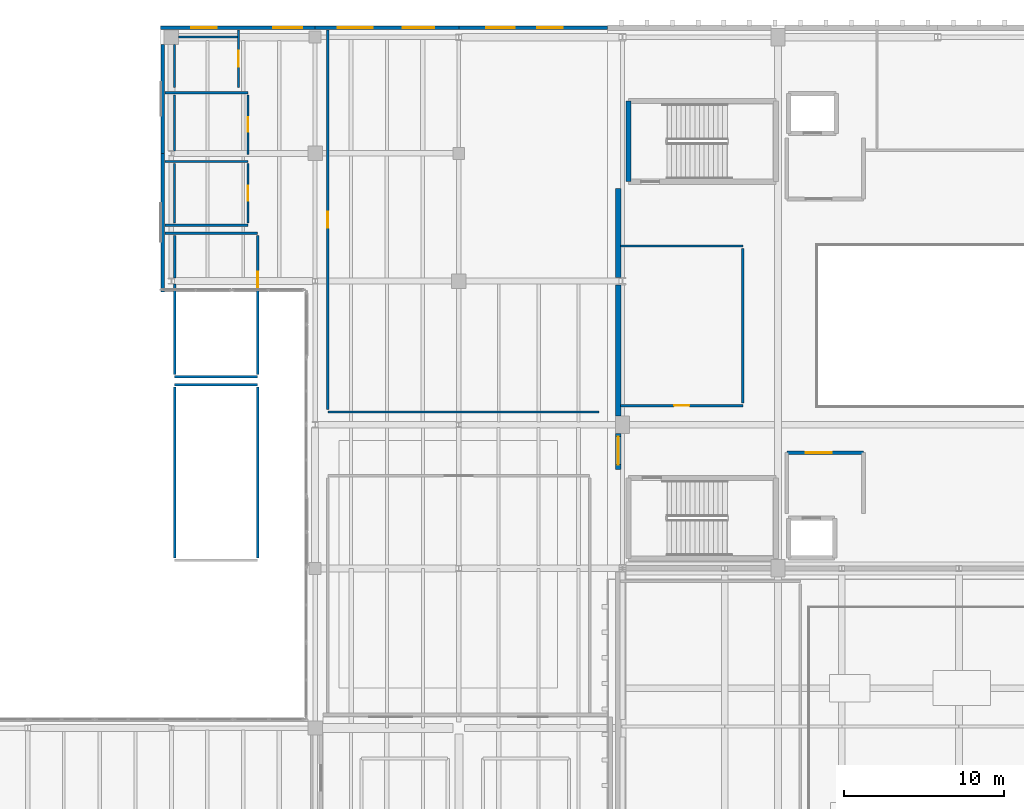
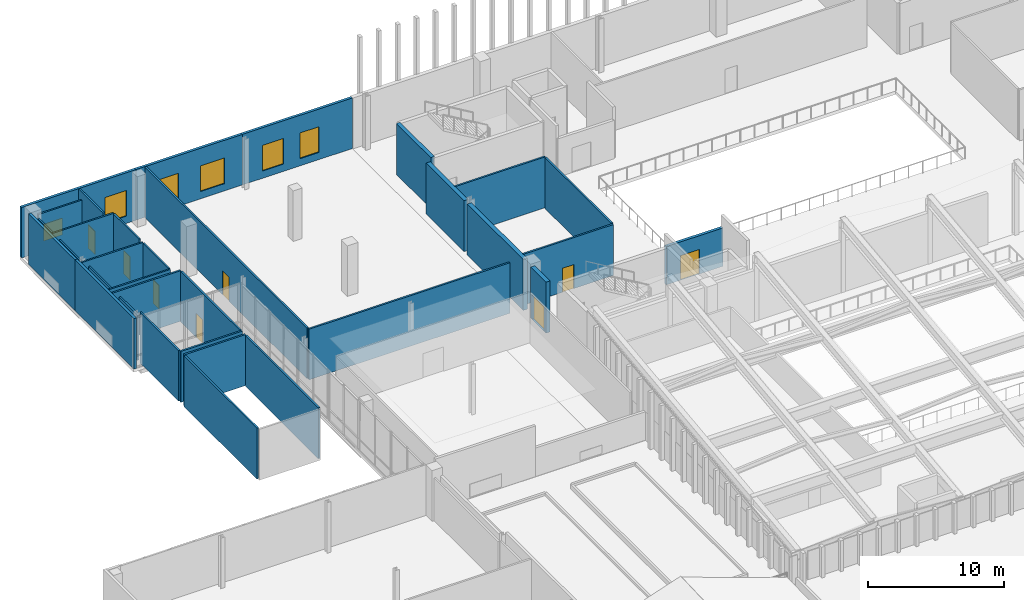
# One storey, part 21 of 30: 33 walls, 8 doors, 6 windows, 14 openings.
"""IFC4 building model written with IfcOpenShell, lengths in metres."""

import ifcopenshell
import ifcopenshell.guid

model = None  # the IFC model being written
_history = None  # IfcOwnerHistory: only IFC2X3 demands one
_inside = {}  # id of a spatial element -> (the spatial element, [elements in it])
_under = {}  # id of a project, library or spatial element -> (it, [spatial elements below it])
_declared = {}  # id of a project -> (the project, [libraries it declares])
_typed = {}  # id of a type object -> (the type object, [elements of that type])
_made_of = {}  # id of a material, layer set ... -> (it, [elements and type objects made of it])


def new_model(schema):
    """Start an empty IFC model of exactly this schema.

    Asked for "IFC4X3", IfcOpenShell would pick the latest addendum, in which some entities
    have other attributes; the version numbers below select the first issue.
    IFC2X3 requires an IfcOwnerHistory on every rooted entity: one is made here for all.
    """
    global model, _history
    if schema == "IFC4X3":
        model = ifcopenshell.file(schema_version=(4, 3, 0, 0))
    else:
        model = ifcopenshell.file(schema=schema)
    _inside.clear()
    _under.clear()
    _declared.clear()
    _typed.clear()
    _made_of.clear()
    _history = None
    if model.schema == "IFC2X3":
        org = make("IfcOrganization", Name="unknown")
        user = make(
            "IfcPersonAndOrganization",
            ThePerson=make("IfcPerson", FamilyName="unknown"),
            TheOrganization=org,
        )
        app = make(
            "IfcApplication",
            ApplicationDeveloper=org,
            Version="unknown",
            ApplicationFullName="unknown",
            ApplicationIdentifier="unknown",
        )
        _history = make(
            "IfcOwnerHistory",
            OwningUser=user,
            OwningApplication=app,
            ChangeAction="ADDED",
            CreationDate=0,
        )
    return model


def make(cls, **values):
    """One entity of the class cls with the attributes given. An attribute that is None is left unset."""
    return model.create_entity(
        cls, **{name: value for name, value in values.items() if value is not None}
    )


def rooted(cls, **values):
    """An entity with a GlobalId (a new one), such as an element, a storey or a relation."""
    return make(cls, GlobalId=ifcopenshell.guid.new(), OwnerHistory=_history, **values)


def si_unit(unit_type, name, prefix=None):
    """IfcSIUnit, for example si_unit("LENGTHUNIT", "METRE", prefix="MILLI")."""
    return make("IfcSIUnit", UnitType=unit_type, Prefix=prefix, Name=name)


def assignment(units):
    """IfcUnitAssignment: the units of a project."""
    return None if units is None else make("IfcUnitAssignment", Units=units)


def point(xyz):
    """IfcCartesianPoint."""
    return None if xyz is None else make("IfcCartesianPoint", Coordinates=xyz)


def direction(xyz):
    """IfcDirection."""
    return None if xyz is None else make("IfcDirection", DirectionRatios=xyz)


def frame(location, z_axis=None, x_axis=None):
    """IfcAxis2Placement3D, a coordinate frame: its origin and axes. An axis left out is left unset."""
    return make(
        "IfcAxis2Placement3D",
        Location=point(location),
        Axis=direction(z_axis),
        RefDirection=direction(x_axis),
    )


def frame_2d(location, x_axis=None):
    """IfcAxis2Placement2D, a coordinate frame in the plane: its origin and x axis."""
    return make(
        "IfcAxis2Placement2D", Location=point(location), RefDirection=direction(x_axis)
    )


def origin():
    """The frame at (0, 0, 0) with its axes left unset."""
    return frame((0.0, 0.0, 0.0))


def place(relative_to, where):
    """IfcLocalPlacement: puts the frame where relative to a parent placement (None: the world)."""
    return make(
        "IfcLocalPlacement", PlacementRelTo=relative_to, RelativePlacement=where
    )


def context(
    kind, dimensions, precision=None, world=None, true_north=None, identifier=None
):
    """IfcGeometricRepresentationContext, for example the 3D "Model" context."""
    return make(
        "IfcGeometricRepresentationContext",
        ContextIdentifier=identifier,
        ContextType=kind,
        CoordinateSpaceDimension=dimensions,
        Precision=precision,
        WorldCoordinateSystem=world,
        TrueNorth=true_north,
    )


def subcontext(parent, identifier, kind, view, scale=None):
    """IfcGeometricRepresentationSubContext, for example "Body" below "Model"."""
    return make(
        "IfcGeometricRepresentationSubContext",
        ContextIdentifier=identifier,
        ContextType=kind,
        ParentContext=parent,
        TargetScale=scale,
        TargetView=view,
    )


def project(units=None, contexts=None):
    """IfcProject with its units and contexts."""
    return rooted(
        "IfcProject",
        Name="project",
        RepresentationContexts=contexts,
        UnitsInContext=assignment(units),
    )


def spatial(cls, under=None, at=None, **own):
    """A site, building, storey or space (cls), placed at a placement, below another one or the project."""
    s = rooted(cls, ObjectPlacement=at, **own)
    if under is not None:
        _under.setdefault(under.id(), (under, []))[1].append(s)
    return s


def profile(cls, at=None, kind="AREA", **sizes):
    """A parametric profile (cls). Its sizes go by their IFC names, for example OverallWidth=200.0."""
    return make(cls, ProfileType=kind, Position=at, **sizes)


def rectangle(**sizes):
    """IfcRectangleProfileDef."""
    return profile("IfcRectangleProfileDef", **sizes)


def extrude(swept, where, along, depth):
    """IfcExtrudedAreaSolid: the profile swept, set in the frame where, extruded along a direction by depth."""
    return make(
        "IfcExtrudedAreaSolid",
        SweptArea=swept,
        Position=where,
        ExtrudedDirection=direction(along),
        Depth=depth,
    )


def shape(context_of_items, identifier, shape_type, items):
    """IfcShapeRepresentation: the items that make up one representation, for example the "Body"."""
    return make(
        "IfcShapeRepresentation",
        ContextOfItems=context_of_items,
        RepresentationIdentifier=identifier,
        RepresentationType=shape_type,
        Items=items,
    )


def material(Name=None, Category=None):
    """IfcMaterial."""
    return make("IfcMaterial", Name=Name, Category=Category)


def layer(
    of_material, thickness, ventilated=None, Name=None, Category=None, Priority=None
):
    """IfcMaterialLayer: one layer of a wall or slab, of a material (None: an air gap)."""
    return make(
        "IfcMaterialLayer",
        Material=of_material,
        LayerThickness=thickness,
        IsVentilated=ventilated,
        Name=Name,
        Category=Category,
        Priority=Priority,
    )


def layer_set(layers, Name=None):
    """IfcMaterialLayerSet."""
    return make("IfcMaterialLayerSet", MaterialLayers=layers, LayerSetName=Name)


def made_of(thing, what):
    """Note that an element or type object is made of a material, layer set ...; save() writes the relation."""
    if what is not None:
        _made_of.setdefault(what.id(), (what, []))[1].append(thing)
    return thing


def type_object(cls, material=None, **own):
    """A type object (cls), such as IfcWallType, which elements share."""
    return made_of(rooted(cls, **own), material)


def element(
    cls,
    number,
    at=None,
    inside=None,
    cuts=None,
    type_object=None,
    material=None,
    context=None,
    identifier="Body",
    shape_type=None,
    held_by="IfcProductDefinitionShape",
    body=None,
    shapes=None,
    **own,
):
    """One element of the class cls, such as IfcWall. Its Tag is "e" and its number.

    at: its placement. inside: the storey or other place that contains it. cuts: it is an
    opening in that element (IfcRelVoidsElement). A single representation is given by context,
    identifier, shape_type and body (its items); several are given by shapes. held_by: the class
    of the entity that holds the representations. save() writes the other relations.
    """
    e = rooted(cls, Tag="e%d" % number, ObjectPlacement=at, **own)
    if body is not None:
        shapes = [shape(context, identifier, shape_type, body)]
    if shapes is not None:
        e.Representation = make(held_by, Representations=shapes)
    if inside is not None:
        _inside.setdefault(inside.id(), (inside, []))[1].append(e)
    if cuts is not None:
        rooted(
            "IfcRelVoidsElement", RelatingBuildingElement=cuts, RelatedOpeningElement=e
        )
    if type_object is not None:
        _typed.setdefault(type_object.id(), (type_object, []))[1].append(e)
    return made_of(e, material)


def fill(opening, filler):
    """IfcRelFillsElement: the door or window that sits in an opening."""
    return rooted(
        "IfcRelFillsElement",
        RelatingOpeningElement=opening,
        RelatedBuildingElement=filler,
    )


def aggregate(whole, parts):
    """IfcRelAggregates: a whole, such as a stair, and the parts it consists of."""
    return rooted("IfcRelAggregates", RelatingObject=whole, RelatedObjects=parts)


def save(model, path):
    """Write the relations noted so far, then the file.

    IfcRelAggregates (storeys below a building ...), IfcRelContainedInSpatialStructure (elements
    in a storey), IfcRelDefinesByType, IfcRelAssociatesMaterial and IfcRelDeclares: one each for
    every whole, place, type object, material and project.
    """
    for whole, parts in _under.values():
        aggregate(whole, parts)
    for where, things in _inside.values():
        rooted(
            "IfcRelContainedInSpatialStructure",
            RelatedElements=things,
            RelatingStructure=where,
        )
    for kind, things in _typed.values():
        rooted("IfcRelDefinesByType", RelatedObjects=things, RelatingType=kind)
    for what, things in _made_of.values():
        rooted("IfcRelAssociatesMaterial", RelatedObjects=things, RelatingMaterial=what)
    for by, libraries in _declared.values():
        rooted("IfcRelDeclares", RelatingContext=by, RelatedDefinitions=libraries)
    model.write(path)


model = new_model("IFC4")

# Units and contexts
model_context = context("Model", 3, precision=1e-05, world=origin(), true_north=direction((0.0, 1.0)))
body_context = subcontext(model_context, "Body", "Model", "MODEL_VIEW")
ifc_project = project(units=[si_unit("LENGTHUNIT", "METRE"), si_unit("AREAUNIT", "SQUARE_METRE"), si_unit("VOLUMEUNIT", "CUBIC_METRE"), si_unit("PLANEANGLEUNIT", "RADIAN"), si_unit("MASSUNIT", "GRAM", prefix="KILO")], contexts=[model_context])

# Site, building, storey
site_placement = place(None, origin())
site = spatial("IfcSite", under=ifc_project, at=site_placement, CompositionType="ELEMENT")
building_placement = place(site_placement, origin())
building = spatial("IfcBuilding", under=site, at=building_placement, Name="Trimount Lyric Opera House", CompositionType="ELEMENT")
storey_placement = place(building_placement, frame((0.0, 0.0, 24.800048828125)))
storey = spatial("IfcBuildingStorey", under=building, at=storey_placement, Name="L05", CompositionType="ELEMENT", Elevation=24.800048828125)

# Walls
ifc_material_1 = material(Name="Moisture-Resistant Gypsum Board")
ifc_layer_1 = layer(ifc_material_1, 0.135009765625)
ifc_layer_set_1 = layer_set([ifc_layer_1], Name="WL-PT135")
wall_type_1 = type_object("IfcWallType", Name="WL-PT135", PredefinedType="PARTITIONING", material=ifc_layer_set_1)
for number, where, z_axis, x_axis, name in (
    (1, (35.60009765625, 105.5, 0.0), (0.0, 0.0, 1.0), (1.0, 0.0, 0.0), "L05 L05 Male Restroom S partition"),
    (2, (40.800048828125, 109.5, 0.0), (0.0, 0.0, 1.0), (-1.0, 0.0, 0.0), "L05 L05 Male Restroom N partition"),
):
    element("IfcWall", number, at=place(storey_placement, frame(where, z_axis=z_axis, x_axis=x_axis)), inside=storey, type_object=wall_type_1, Name=name, PredefinedType="PARTITIONING", context=body_context, shape_type="SweptSolid", body=[
        extrude(rectangle(XDim=5.199951171875, YDim=0.135009765625, at=frame_2d((2.60009765625, 0.0))), origin(), (0.0, 0.0, 1.0), 4.530029296875),
    ])
wall_1_placement = place(storey_placement, frame((36.199951171875, 109.364990234375, 0.0), z_axis=(0.0, 0.0, 1.0), x_axis=(0.0, -1.0, 0.0)))
element("IfcWall", 3, at=wall_1_placement, inside=storey, type_object=wall_type_1, Name="L05 L05 Male Restroom W partition", PredefinedType="PARTITIONING", context=body_context, shape_type="SweptSolid", body=[
    extrude(rectangle(XDim=3.72998046875, YDim=0.135009765625, at=frame_2d((1.864990234375, 0.0))), origin(), (0.0, 0.0, 1.0), 4.052978515625),
])

# Wall, opening, door
wall_2_placement = place(storey_placement, frame((40.800048828125, 105.635009765625, 0.0), z_axis=(0.0, 0.0, 1.0), x_axis=(0.0, 1.0, 0.0)))
wall_2 = element("IfcWall", 4, at=wall_2_placement, inside=storey, type_object=wall_type_1, Name="L05 L05 Male Restroom E partition", PredefinedType="PARTITIONING", context=body_context, shape_type="SweptSolid", body=[
    extrude(rectangle(XDim=3.72998046875, YDim=0.135009765625, at=frame_2d((1.864990234375, 0.0))), origin(), (0.0, 0.0, 1.0), 4.530029296875),
])
opening_1_placement = place(wall_2_placement, frame((1.405029296875, 0.0, 0.0)))
opening_1 = element("IfcOpeningElement", 5, at=opening_1_placement, cuts=wall_2, Name="Opening DT-WC1", PredefinedType="OPENING", context=body_context, shape_type="SweptSolid", body=[
    extrude(rectangle(XDim=0.919921875, YDim=2.10009765625, at=frame_2d((0.4599609375, 1.050048828125))), frame((0.0, 0.07763671875, 0.0), z_axis=(0.0, -1.0, 0.0), x_axis=(1.0, 0.0, 0.0)), (0.0, 0.0, 1.0), 0.155029296875),
])
ifc_material_2 = material(Name="Moisture-Resistant Solid-Core Laminate")
door_type_1 = type_object("IfcDoorType", Name="DT-WC1", OperationType="NOTDEFINED", PredefinedType="DOOR", material=ifc_material_2)
door_1_placement = place(opening_1_placement, origin())
door_1 = element("IfcDoor", 6, at=door_1_placement, inside=storey, type_object=door_type_1, Name="D-251", OperationType="SINGLE_SWING_LEFT", OverallHeight=2.10009765625, OverallWidth=0.919921875, PredefinedType="DOOR", context=body_context, shape_type="SweptSolid", body=[
    extrude(rectangle(XDim=0.919921875, YDim=2.10009765625, at=frame_2d((0.4599609375, 1.050048828125))), frame((0.0, 0.02490234375, 0.0), z_axis=(0.0, -1.0, 0.0), x_axis=(1.0, 0.0, 0.0)), (0.0, 0.0, 1.0), 0.050048828125),
])
fill(opening_1, door_1)

# Walls
wall_3_placement = place(storey_placement, frame((40.800048828125, 113.800048828125, 0.0), z_axis=(0.0, 0.0, 1.0), x_axis=(-1.0, 0.0, 0.0)))
element("IfcWall", 7, at=wall_3_placement, inside=storey, type_object=wall_type_1, Name="L05 L05 Female Restroom N partition", PredefinedType="PARTITIONING", context=body_context, shape_type="SweptSolid", body=[
    extrude(rectangle(XDim=5.199951171875, YDim=0.135009765625, at=frame_2d((2.60009765625, 0.0))), origin(), (0.0, 0.0, 1.0), 4.530029296875),
])
wall_4_placement = place(storey_placement, frame((36.199951171875, 113.6650390625, 0.0), z_axis=(0.0, 0.0, 1.0), x_axis=(0.0, -1.0, 0.0)))
element("IfcWall", 8, at=wall_4_placement, inside=storey, type_object=wall_type_1, Name="L05 L05 Female Restroom W partition", PredefinedType="PARTITIONING", context=body_context, shape_type="SweptSolid", body=[
    extrude(rectangle(XDim=3.511474609375, YDim=0.135009765625, at=frame_2d((1.755859375, 0.0))), origin(), (0.0, 0.0, 1.0), 3.820068359375),
])

# Wall, opening, door
wall_5_placement = place(storey_placement, frame((40.800048828125, 109.93505859375, 0.0), z_axis=(0.0, 0.0, 1.0), x_axis=(0.0, 1.0, 0.0)))
wall_5 = element("IfcWall", 9, at=wall_5_placement, inside=storey, type_object=wall_type_1, Name="L05 L05 Female Restroom E partition", PredefinedType="PARTITIONING", context=body_context, shape_type="SweptSolid", body=[
    extrude(rectangle(XDim=3.72998046875, YDim=0.135009765625, at=frame_2d((1.864990234375, 0.0))), origin(), (0.0, 0.0, 1.0), 4.530029296875),
])
opening_2_placement = place(wall_5_placement, frame((1.405029296875, 0.0, 0.0)))
opening_2 = element("IfcOpeningElement", 10, at=opening_2_placement, cuts=wall_5, Name="Opening DT-WC1", PredefinedType="OPENING", context=body_context, shape_type="SweptSolid", body=[
    extrude(rectangle(XDim=0.919921875, YDim=2.10009765625, at=frame_2d((0.4599609375, 1.050048828125))), frame((0.0, 0.07763671875, 0.0), z_axis=(0.0, -1.0, 0.0), x_axis=(1.0, 0.0, 0.0)), (0.0, 0.0, 1.0), 0.155029296875),
])
door_2_placement = place(opening_2_placement, origin())
door_2 = element("IfcDoor", 11, at=door_2_placement, inside=storey, type_object=door_type_1, Name="D-252", OperationType="SINGLE_SWING_RIGHT", OverallHeight=2.10009765625, OverallWidth=0.919921875, PredefinedType="DOOR", context=body_context, shape_type="SweptSolid", body=[
    extrude(rectangle(XDim=0.919921875, YDim=2.10009765625, at=frame_2d((0.4599609375, 1.050048828125))), frame((0.0, 0.02490234375, 0.0), z_axis=(0.0, -1.0, 0.0), x_axis=(1.0, 0.0, 0.0)), (0.0, 0.0, 1.0), 0.050048828125),
])
fill(opening_2, door_2)

# Walls
wall_6_placement = place(storey_placement, frame((40.199951171875, 117.300048828125, 0.0), z_axis=(0.0, 0.0, 1.0), x_axis=(-1.0, 0.0, 0.0)))
element("IfcWall", 12, at=wall_6_placement, inside=storey, type_object=wall_type_1, Name="L05 L05 Accessible WC N partition", PredefinedType="PARTITIONING", context=body_context, shape_type="SweptSolid", body=[
    extrude(rectangle(XDim=3.75, YDim=0.135009765625, at=frame_2d((1.875, 0.0))), origin(), (0.0, 0.0, 1.0), 3.820068359375),
])
wall_7_placement = place(storey_placement, frame((36.199951171875, 116.830078125, 0.0), z_axis=(0.0, 0.0, 1.0), x_axis=(0.0, -1.0, 0.0)))
element("IfcWall", 13, at=wall_7_placement, inside=storey, type_object=wall_type_1, Name="L05 L05 Accessible WC W partition", PredefinedType="PARTITIONING", context=body_context, shape_type="SweptSolid", body=[
    extrude(rectangle(XDim=2.695068359375, YDim=0.135009765625, at=frame_2d((1.34765625, 0.0))), origin(), (0.0, 0.0, 1.0), 3.820068359375),
])

# Wall, opening, door
wall_8_placement = place(storey_placement, frame((40.199951171875, 114.135009765625, 0.0), z_axis=(0.0, 0.0, 1.0), x_axis=(0.0, 1.0, 0.0)))
wall_8 = element("IfcWall", 14, at=wall_8_placement, inside=storey, type_object=wall_type_1, Name="L05 L05 Accessible WC E partition", PredefinedType="PARTITIONING", context=body_context, shape_type="SweptSolid", body=[
    extrude(rectangle(XDim=3.5849609375, YDim=0.135009765625, at=frame_2d((1.79248046875, 0.0))), origin(), (0.0, 0.0, 1.0), 4.530029296875),
])
opening_3_placement = place(wall_8_placement, frame((1.302490234375, 0.0, 0.0)))
opening_3 = element("IfcOpeningElement", 15, at=opening_3_placement, cuts=wall_8, Name="Opening DT-WC2", PredefinedType="OPENING", context=body_context, shape_type="SweptSolid", body=[
    extrude(rectangle(XDim=0.97998046875, YDim=2.10009765625, at=frame_2d((0.489990234375, 1.050048828125))), frame((0.0, 0.07763671875, 0.0), z_axis=(0.0, -1.0, 0.0), x_axis=(1.0, 0.0, 0.0)), (0.0, 0.0, 1.0), 0.155029296875),
])
ifc_material_3 = material(Name="Moisture-Resistant Solid-Core Laminate")
door_type_2 = type_object("IfcDoorType", Name="DT-WC2", OperationType="NOTDEFINED", PredefinedType="DOOR", material=ifc_material_3)
door_3_placement = place(opening_3_placement, origin())
door_3 = element("IfcDoor", 16, at=door_3_placement, inside=storey, type_object=door_type_2, Name="D-253", OperationType="SINGLE_SWING_LEFT", OverallHeight=2.10009765625, OverallWidth=0.97998046875, PredefinedType="DOOR", context=body_context, shape_type="SweptSolid", body=[
    extrude(rectangle(XDim=0.97998046875, YDim=2.10009765625, at=frame_2d((0.489990234375, 1.050048828125))), frame((0.0, 0.02490234375, 0.0), z_axis=(0.0, -1.0, 0.0), x_axis=(1.0, 0.0, 0.0)), (0.0, 0.0, 1.0), 0.050048828125),
])
fill(opening_3, door_3)

# Wall
ifc_material_4 = material(Name="Fire-Rated Gypsum Board Partition")
ifc_layer_2 = layer(ifc_material_4, 0.14990234375)
ifc_layer_set_2 = layer_set([ifc_layer_2], Name="WL-PT150")
wall_type_2 = type_object("IfcWallType", Name="WL-PT150", PredefinedType="PARTITIONING", material=ifc_layer_set_2)
wall_9_placement = place(storey_placement, frame((45.800048828125, 93.800048828125, 0.0), z_axis=(0.0, 0.0, 1.0), x_axis=(1.0, 0.0, 0.0)))
element("IfcWall", 17, at=wall_9_placement, inside=storey, type_object=wall_type_2, Name="L05 Opera Archive and Score Library S partition", PredefinedType="PARTITIONING", context=body_context, shape_type="SweptSolid", body=[
    extrude(rectangle(XDim=17.0, YDim=0.14990234375, at=frame_2d((8.5, 0.0))), origin(), (0.0, 0.0, 1.0), 4.530029296875),
])

# Wall, opening, door
wall_10_placement = place(storey_placement, frame((45.800048828125, 117.719970703125, 0.0), z_axis=(0.0, 0.0, 1.0), x_axis=(0.0, -1.0, 0.0)))
wall_10 = element("IfcWall", 18, at=wall_10_placement, inside=storey, type_object=wall_type_2, Name="L05 Opera Archive and Score Library W partition", PredefinedType="PARTITIONING", context=body_context, shape_type="SweptSolid", body=[
    extrude(rectangle(XDim=23.77001953125, YDim=0.14990234375, at=frame_2d((11.885009765625, 0.0))), origin(), (0.0, 0.0, 1.0), 4.530029296875),
])
opening_4_placement = place(wall_10_placement, frame((11.385009765625, 0.0, 0.0)))
opening_4 = element("IfcOpeningElement", 19, at=opening_4_placement, cuts=wall_10, Name="Opening DT-RM1", PredefinedType="OPENING", context=body_context, shape_type="SweptSolid", body=[
    extrude(rectangle(XDim=1.0, YDim=2.14990234375, at=frame_2d((0.5, 1.074951171875))), frame((0.0, 0.0849609375, 0.0), z_axis=(0.0, -1.0, 0.0), x_axis=(1.0, 0.0, 0.0)), (0.0, 0.0, 1.0), 0.169921875),
])
ifc_material_5 = material(Name="Solid Core White Oak")
door_type_3 = type_object("IfcDoorType", Name="DT-RM1", OperationType="NOTDEFINED", PredefinedType="DOOR", material=ifc_material_5)
door_4_placement = place(opening_4_placement, origin())
door_4 = element("IfcDoor", 20, at=door_4_placement, inside=storey, type_object=door_type_3, Name="D-243", OperationType="SINGLE_SWING_LEFT", OverallHeight=2.14990234375, OverallWidth=1.0, PredefinedType="DOOR", context=body_context, shape_type="SweptSolid", body=[
    extrude(rectangle(XDim=1.0, YDim=2.14990234375, at=frame_2d((0.5, 1.074951171875))), frame((0.0, 0.02490234375, 0.0), z_axis=(0.0, -1.0, 0.0), x_axis=(1.0, 0.0, 0.0)), (0.0, 0.0, 1.0), 0.050048828125),
])
fill(opening_4, door_4)

wall_11_placement = place(storey_placement, frame((64.139892578125, 94.199951171875, 0.0), z_axis=(0.0, 0.0, 1.0), x_axis=(1.0, 0.0, 0.0)))
wall_11 = element("IfcWall", 21, at=wall_11_placement, inside=storey, type_object=wall_type_2, Name="L05 West Counterweight Fly Gallery S partition", PredefinedType="PARTITIONING", context=body_context, shape_type="SweptSolid", body=[
    extrude(rectangle(XDim=7.66015625, YDim=0.14990234375, at=frame_2d((3.830078125, 0.0))), origin(), (0.0, 0.0, 1.0), 4.56005859375),
])
opening_5_placement = place(wall_11_placement, frame((3.35498046875, 0.0, 0.0)))
opening_5 = element("IfcOpeningElement", 22, at=opening_5_placement, cuts=wall_11, Name="Opening DT-RM2", PredefinedType="OPENING", context=body_context, shape_type="SweptSolid", body=[
    extrude(rectangle(XDim=0.949951171875, YDim=2.14990234375, at=frame_2d((0.47509765625, 1.074951171875))), frame((0.0, 0.0849609375, 0.0), z_axis=(0.0, -1.0, 0.0), x_axis=(1.0, 0.0, 0.0)), (0.0, 0.0, 1.0), 0.169921875),
])
ifc_material_6 = material(Name="Solid Core White Oak")
door_type_4 = type_object("IfcDoorType", Name="DT-RM2", OperationType="NOTDEFINED", PredefinedType="DOOR", material=ifc_material_6)
door_5_placement = place(opening_5_placement, origin())
door_5 = element("IfcDoor", 23, at=door_5_placement, inside=storey, type_object=door_type_4, Name="D-246", OperationType="SINGLE_SWING_RIGHT", OverallHeight=2.14990234375, OverallWidth=0.949951171875, PredefinedType="DOOR", context=body_context, shape_type="SweptSolid", body=[
    extrude(rectangle(XDim=0.949951171875, YDim=2.14990234375, at=frame_2d((0.47509765625, 1.074951171875))), frame((0.0, 0.02490234375, 0.0), z_axis=(0.0, -1.0, 0.0), x_axis=(1.0, 0.0, 0.0)), (0.0, 0.0, 1.0), 0.050048828125),
])
fill(opening_5, door_5)

# Walls
wall_12_placement = place(storey_placement, frame((71.800048828125, 104.199951171875, 0.0), z_axis=(0.0, 0.0, 1.0), x_axis=(-1.0, 0.0, 0.0)))
element("IfcWall", 24, at=wall_12_placement, inside=storey, type_object=wall_type_2, Name="L05 West Counterweight Fly Gallery N partition", PredefinedType="PARTITIONING", context=body_context, shape_type="SweptSolid", body=[
    extrude(rectangle(XDim=7.66015625, YDim=0.14990234375, at=frame_2d((3.830078125, 0.0))), origin(), (0.0, 0.0, 1.0), 4.56005859375),
])
wall_13_placement = place(storey_placement, frame((71.800048828125, 94.35009765625, 0.0), z_axis=(0.0, 0.0, 1.0), x_axis=(0.0, 1.0, 0.0)))
element("IfcWall", 25, at=wall_13_placement, inside=storey, type_object=wall_type_2, Name="L05 West Counterweight Fly Gallery E partition", PredefinedType="PARTITIONING", context=body_context, shape_type="SweptSolid", body=[
    extrude(rectangle(XDim=9.699951171875, YDim=0.14990234375, at=frame_2d((4.85009765625, 0.0))), origin(), (0.0, 0.0, 1.0), 4.56005859375),
])
wall_14_placement = place(storey_placement, frame((36.199951171875, 96.0, 0.0), z_axis=(0.0, 0.0, 1.0), x_axis=(1.0, 0.0, 0.0)))
element("IfcWall", 26, at=wall_14_placement, inside=storey, type_object=wall_type_2, Name="L05 Orchestral Parts & Copying Studio S partition", PredefinedType="PARTITIONING", context=body_context, shape_type="SweptSolid", body=[
    extrude(rectangle(XDim=5.199951171875, YDim=0.14990234375, at=frame_2d((2.60009765625, 0.0))), origin(), (0.0, 0.0, 1.0), 4.56005859375),
])
wall_15_placement = place(storey_placement, frame((41.39990234375, 105.0, 0.0), z_axis=(0.0, 0.0, 1.0), x_axis=(-1.0, 0.0, 0.0)))
element("IfcWall", 27, at=wall_15_placement, inside=storey, type_object=wall_type_2, Name="L05 Orchestral Parts & Copying Studio N partition", PredefinedType="PARTITIONING", context=body_context, shape_type="SweptSolid", body=[
    extrude(rectangle(XDim=5.7998046875, YDim=0.14990234375, at=frame_2d((2.89990234375, 0.0))), origin(), (0.0, 0.0, 1.0), 4.530029296875),
])
wall_16_placement = place(storey_placement, frame((36.199951171875, 104.85009765625, 0.0), z_axis=(0.0, 0.0, 1.0), x_axis=(0.0, -1.0, 0.0)))
element("IfcWall", 28, at=wall_16_placement, inside=storey, type_object=wall_type_2, Name="L05 Orchestral Parts & Copying Studio W partition", PredefinedType="PARTITIONING", context=body_context, shape_type="SweptSolid", body=[
    extrude(rectangle(XDim=2.672119140625, YDim=0.14990234375, at=frame_2d((1.3359375, 0.0))), origin(), (0.0, 0.0, 1.0), 4.052978515625),
])
wall_17_placement = place(storey_placement, frame((36.199951171875, 101.822021484375, 0.0), z_axis=(0.0, 0.0, 1.0), x_axis=(0.0, -1.0, 0.0)))
element("IfcWall", 29, at=wall_17_placement, inside=storey, type_object=wall_type_2, Name="L05 Orchestral Parts & Copying Studio W partition", PredefinedType="PARTITIONING", context=body_context, shape_type="SweptSolid", body=[
    extrude(rectangle(XDim=5.672119140625, YDim=0.14990234375, at=frame_2d((2.8359375, 0.0))), origin(), (0.0, 0.0, 1.0), 4.530029296875),
])

# Wall, opening, door
wall_18_placement = place(storey_placement, frame((41.39990234375, 96.14990234375, 0.0), z_axis=(0.0, 0.0, 1.0), x_axis=(0.0, 1.0, 0.0)))
wall_18 = element("IfcWall", 30, at=wall_18_placement, inside=storey, type_object=wall_type_2, Name="L05 Orchestral Parts & Copying Studio E partition", PredefinedType="PARTITIONING", context=body_context, shape_type="SweptSolid", body=[
    extrude(rectangle(XDim=8.7001953125, YDim=0.14990234375, at=frame_2d((4.35009765625, 0.0))), origin(), (0.0, 0.0, 1.0), 4.530029296875),
])
opening_6_placement = place(wall_18_placement, frame((5.47509765625, 0.0, 0.0)))
opening_6 = element("IfcOpeningElement", 31, at=opening_6_placement, cuts=wall_18, Name="Opening DT-RM2", PredefinedType="OPENING", context=body_context, shape_type="SweptSolid", body=[
    extrude(rectangle(XDim=0.949951171875, YDim=2.14990234375, at=frame_2d((0.47509765625, 1.074951171875))), frame((0.0, 0.0849609375, 0.0), z_axis=(0.0, -1.0, 0.0), x_axis=(1.0, 0.0, 0.0)), (0.0, 0.0, 1.0), 0.169921875),
])
door_6_placement = place(opening_6_placement, origin())
door_6 = element("IfcDoor", 32, at=door_6_placement, inside=storey, type_object=door_type_4, Name="D-250", OperationType="SINGLE_SWING_RIGHT", OverallHeight=2.14990234375, OverallWidth=0.949951171875, PredefinedType="DOOR", context=body_context, shape_type="SweptSolid", body=[
    extrude(rectangle(XDim=0.949951171875, YDim=2.14990234375, at=frame_2d((0.47509765625, 1.074951171875))), frame((0.0, 0.02490234375, 0.0), z_axis=(0.0, -1.0, 0.0), x_axis=(1.0, 0.0, 0.0)), (0.0, 0.0, 1.0), 0.050048828125),
])
fill(opening_6, door_6)

# Walls
wall_19_placement = place(storey_placement, frame((41.39990234375, 95.5, 0.0), z_axis=(0.0, 0.0, 1.0), x_axis=(-1.0, 0.0, 0.0)))
element("IfcWall", 33, at=wall_19_placement, inside=storey, type_object=wall_type_2, Name="L05 West Wing Artists' Pantry N partition", PredefinedType="PARTITIONING", context=body_context, shape_type="SweptSolid", body=[
    extrude(rectangle(XDim=5.199951171875, YDim=0.14990234375, at=frame_2d((2.60009765625, 0.0))), origin(), (0.0, 0.0, 1.0), 4.56005859375),
])
for number, where, z_axis, x_axis, name in (
    (34, (36.199951171875, 95.35009765625, 0.0), (0.0, 0.0, 1.0), (0.0, -1.0, 0.0), "L05 West Wing Artists' Pantry W partition"),
    (35, (41.39990234375, 84.64990234375, 0.0), (0.0, 0.0, 1.0), (0.0, 1.0, 0.0), "L05 West Wing Artists' Pantry E partition"),
):
    element("IfcWall", number, at=place(storey_placement, frame(where, z_axis=z_axis, x_axis=x_axis)), inside=storey, type_object=wall_type_2, Name=name, PredefinedType="PARTITIONING", context=body_context, shape_type="SweptSolid", body=[
        extrude(rectangle(XDim=10.7001953125, YDim=0.14990234375, at=frame_2d((5.35009765625, 0.0))), origin(), (0.0, 0.0, 1.0), 4.56005859375),
    ])
ifc_material_7 = material(Name="Concrete C40/50", Category="concrete")
ifc_layer_3 = layer(ifc_material_7, 0.320068359375)
ifc_layer_set_3 = layer_set([ifc_layer_3], Name="WL-SH320")
wall_type_3 = type_object("IfcWallType", Name="WL-SH320", PredefinedType="SHEAR", material=ifc_layer_set_3)
wall_20_placement = place(storey_placement, frame((64.625, 113.27490234375, 0.0), z_axis=(0.0, 0.0, 1.0), x_axis=(0.0, -1.0, 0.0)))
element("IfcWall", 36, at=wall_20_placement, inside=storey, type_object=wall_type_3, Name="K1 L05 west shaft wall", PredefinedType="SHEAR", context=body_context, shape_type="SweptSolid", body=[
    extrude(rectangle(XDim=5.0498046875, YDim=0.320068359375, at=frame_2d((2.52490234375, 0.0))), origin(), (0.0, 0.0, 1.0), 4.56005859375),
])

# Wall, opening, door
ifc_material_8 = material(Name="Concrete C40/50", Category="concrete")
ifc_layer_4 = layer(ifc_material_8, 0.35009765625)
ifc_layer_set_4 = layer_set([ifc_layer_4], Name="WL-SH350")
wall_type_4 = type_object("IfcWallType", Name="WL-SH350", PredefinedType="SHEAR", material=ifc_layer_set_4)
wall_21_placement = place(storey_placement, frame((64.0, 90.199951171875, 0.0), z_axis=(0.0, 0.0, 1.0), x_axis=(0.0, 1.0, 0.0)))
wall_21 = element("IfcWall", 37, at=wall_21_placement, inside=storey, type_object=wall_type_4, Name="L05 fly-tower west shear wall", PredefinedType="SHEAR", context=body_context, shape_type="SweptSolid", body=[
    extrude(rectangle(XDim=2.25, YDim=0.35009765625, at=frame_2d((1.125, 0.0))), origin(), (0.0, 0.0, 1.0), 4.56005859375),
])
opening_7_placement = place(wall_21_placement, frame((0.300048828125, 0.0, 0.0)))
opening_7 = element("IfcOpeningElement", 38, at=opening_7_placement, cuts=wall_21, Name="Opening DT-COR1", PredefinedType="OPENING", context=body_context, shape_type="SweptSolid", body=[
    extrude(rectangle(XDim=1.75, YDim=2.199951171875, at=frame_2d((0.875, 1.10009765625))), frame((0.0, 0.18505859375, 0.0), z_axis=(0.0, -1.0, 0.0), x_axis=(1.0, 0.0, 0.0)), (0.0, 0.0, 1.0), 0.3701171875),
])
ifc_material_9 = material(Name="Fire-Rated Timber Veneer", Category="wood")
door_type_5 = type_object("IfcDoorType", Name="DT-COR1", OperationType="DOUBLE_DOOR_SINGLE_SWING", PredefinedType="DOOR", material=ifc_material_9)
door_7_placement = place(opening_7_placement, origin())
door_7 = element("IfcDoor", 39, at=door_7_placement, inside=storey, type_object=door_type_5, Name="D-136", OperationType="DOUBLE_DOOR_SINGLE_SWING", OverallHeight=2.199951171875, OverallWidth=1.75, PredefinedType="DOOR", context=body_context, shape_type="SweptSolid", body=[
    extrude(rectangle(XDim=1.75, YDim=2.199951171875, at=frame_2d((0.875, 1.10009765625))), frame((0.0, 0.02490234375, 0.0), z_axis=(0.0, -1.0, 0.0), x_axis=(1.0, 0.0, 0.0)), (0.0, 0.0, 1.0), 0.050048828125),
])
fill(opening_7, door_7)

# Walls
wall_22_placement = place(storey_placement, frame((64.0, 93.550048828125, 0.0), z_axis=(0.0, 0.0, 1.0), x_axis=(0.0, 1.0, 0.0)))
element("IfcWall", 40, at=wall_22_placement, inside=storey, type_object=wall_type_4, Name="L05 fly-tower west shear wall", PredefinedType="SHEAR", context=body_context, shape_type="SweptSolid", body=[
    extrude(rectangle(XDim=8.217529296875, YDim=0.35009765625, at=frame_2d((4.10888671875, 0.0))), origin(), (0.0, 0.0, 1.0), 4.56005859375),
])
wall_23_placement = place(storey_placement, frame((64.0, 102.232421875, 0.0), z_axis=(0.0, 0.0, 1.0), x_axis=(0.0, 1.0, 0.0)))
element("IfcWall", 41, at=wall_23_placement, inside=storey, type_object=wall_type_4, Name="L05 fly-tower west shear wall", PredefinedType="SHEAR", context=body_context, shape_type="SweptSolid", body=[
    extrude(rectangle(XDim=5.567626953125, YDim=0.35009765625, at=frame_2d((2.78369140625, 0.0))), origin(), (0.0, 0.0, 1.0), 4.56005859375),
])
ifc_material_10 = material(Name="Concrete C35/45", Category="concrete")
ifc_layer_5 = layer(ifc_material_10, 0.219970703125)
ifc_layer_set_5 = layer_set([ifc_layer_5], Name="WL-SW220")
wall_type_5 = type_object("IfcWallType", Name="WL-SW220", PredefinedType="SOLIDWALL", material=ifc_layer_set_5)
wall_24_placement = place(storey_placement, frame((35.4599609375, 101.320068359375, 0.0), z_axis=(0.0, 0.0, 1.0), x_axis=(0.0, 1.0, 0.0)))
element("IfcWall", 42, at=wall_24_placement, inside=storey, type_object=wall_type_5, Name="L05 exterior facade wall 338", PredefinedType="SOLIDWALL", context=body_context, shape_type="SweptSolid", body=[
    extrude(rectangle(XDim=8.679931640625, YDim=0.219970703125, at=frame_2d((4.33984375, 0.0))), origin(), (0.0, 0.0, 1.0), 4.530029296875),
])
wall_25_placement = place(storey_placement, frame((35.4599609375, 110.0, 0.0), z_axis=(0.0, 0.0, 1.0), x_axis=(0.0, 1.0, 0.0)))
element("IfcWall", 43, at=wall_25_placement, inside=storey, type_object=wall_type_5, Name="L05 exterior facade wall 339", PredefinedType="SOLIDWALL", context=body_context, shape_type="SweptSolid", body=[
    extrude(rectangle(XDim=6.830078125, YDim=0.219970703125, at=frame_2d((3.4150390625, 0.0))), origin(), (0.0, 0.0, 1.0), 4.530029296875),
])

# Wall, openings, windows
wall_26_placement = place(storey_placement, frame((35.320068359375, 117.860107421875, 0.0), z_axis=(0.0, 0.0, 1.0), x_axis=(1.0, 0.0, 0.0)))
wall_26 = element("IfcWall", 44, at=wall_26_placement, inside=storey, type_object=wall_type_5, Name="L05 exterior facade wall 340", PredefinedType="SOLIDWALL", context=body_context, shape_type="SweptSolid", body=[
    extrude(rectangle(XDim=9.679931640625, YDim=0.219970703125, at=frame_2d((4.83984375, 0.0))), origin(), (0.0, 0.0, 1.0), 4.530029296875),
])
opening_8_placement = place(wall_26_placement, frame((1.910400390625, 0.0, 0.800048828125)))
opening_8 = element("IfcOpeningElement", 45, at=opening_8_placement, cuts=wall_26, Name="Opening WT-26", PredefinedType="OPENING", context=body_context, shape_type="SweptSolid", body=[
    extrude(rectangle(XDim=1.60009765625, YDim=1.5, at=frame_2d((0.800048828125, 0.75))), frame((0.0, 0.1201171875, 0.0), z_axis=(0.0, -1.0, 0.0), x_axis=(1.0, 0.0, 0.0)), (0.0, 0.0, 1.0), 0.239990234375),
])
opening_9_placement = place(wall_26_placement, frame((7.069580078125, 0.0, 0.64990234375)))
opening_9 = element("IfcOpeningElement", 46, at=opening_9_placement, cuts=wall_26, Name="Opening WT-04", PredefinedType="OPENING", context=body_context, shape_type="SweptSolid", body=[
    extrude(rectangle(XDim=1.800048828125, YDim=2.300048828125, at=frame_2d((0.89990234375, 1.14990234375))), frame((0.0, 0.1201171875, 0.0), z_axis=(0.0, -1.0, 0.0), x_axis=(1.0, 0.0, 0.0)), (0.0, 0.0, 1.0), 0.239990234375),
])
ifc_material_11 = material(Name="Triple Acoustic Glazing in Aluminium Frame", Category="aluminium")
window_type_1 = type_object("IfcWindowType", Name="WT-04", PartitioningType="DOUBLE_PANEL_VERTICAL", PredefinedType="WINDOW", material=ifc_material_11)
window_1_placement = place(opening_9_placement, origin())
window_1 = element("IfcWindow", 47, at=window_1_placement, inside=storey, type_object=window_type_1, Name="Window WT-04-0287", OverallHeight=2.300048828125, OverallWidth=1.800048828125, PartitioningType="SINGLE_PANEL", PredefinedType="WINDOW", context=body_context, shape_type="SweptSolid", body=[
    extrude(rectangle(XDim=1.800048828125, YDim=2.300048828125, at=frame_2d((0.89990234375, 1.14990234375))), frame((0.0, 0.030029296875, 0.0), z_axis=(0.0, -1.0, 0.0), x_axis=(1.0, 0.0, 0.0)), (0.0, 0.0, 1.0), 0.06005859375),
])
fill(opening_9, window_1)
ifc_material_12 = material(Name="Clerestory Ribbon Glazing", Category="glass")
window_type_2 = type_object("IfcWindowType", Name="WT-26", PartitioningType="SINGLE_PANEL", PredefinedType="WINDOW", material=ifc_material_12)
window_2_placement = place(opening_8_placement, origin())
window_2 = element("IfcWindow", 48, at=window_2_placement, inside=storey, type_object=window_type_2, Name="Window WT-26-0286", OverallHeight=1.5, OverallWidth=1.60009765625, PartitioningType="SINGLE_PANEL", PredefinedType="WINDOW", context=body_context, shape_type="SweptSolid", body=[
    extrude(rectangle(XDim=1.60009765625, YDim=1.5, at=frame_2d((0.800048828125, 0.75))), frame((0.0, 0.030029296875, 0.0), z_axis=(0.0, -1.0, 0.0), x_axis=(1.0, 0.0, 0.0)), (0.0, 0.0, 1.0), 0.06005859375),
])
fill(opening_8, window_2)

wall_27_placement = place(storey_placement, frame((45.0, 117.860107421875, 0.0), z_axis=(0.0, 0.0, 1.0), x_axis=(1.0, 0.0, 0.0)))
wall_27 = element("IfcWall", 49, at=wall_27_placement, inside=storey, type_object=wall_type_5, Name="L05 exterior facade wall 341", PredefinedType="SOLIDWALL", context=body_context, shape_type="SweptSolid", body=[
    extrude(rectangle(XDim=9.0, YDim=0.219970703125, at=frame_2d((4.5, 0.0))), origin(), (0.0, 0.0, 1.0), 4.530029296875),
])
opening_10_placement = place(wall_27_placement, frame((1.419921875, 0.0, 0.64990234375)))
opening_10 = element("IfcOpeningElement", 50, at=opening_10_placement, cuts=wall_27, Name="Opening WT-02", PredefinedType="OPENING", context=body_context, shape_type="SweptSolid", body=[
    extrude(rectangle(XDim=2.199951171875, YDim=2.300048828125, at=frame_2d((1.10009765625, 1.14990234375))), frame((0.0, 0.1201171875, 0.0), z_axis=(0.0, -1.0, 0.0), x_axis=(1.0, 0.0, 0.0)), (0.0, 0.0, 1.0), 0.239990234375),
])
opening_11_placement = place(wall_27_placement, frame((5.47998046875, 0.0, 0.64990234375)))
opening_11 = element("IfcOpeningElement", 51, at=opening_11_placement, cuts=wall_27, Name="Opening WT-03", PredefinedType="OPENING", context=body_context, shape_type="SweptSolid", body=[
    extrude(rectangle(XDim=2.0, YDim=2.300048828125, at=frame_2d((1.0, 1.14990234375))), frame((0.0, 0.1201171875, 0.0), z_axis=(0.0, -1.0, 0.0), x_axis=(1.0, 0.0, 0.0)), (0.0, 0.0, 1.0), 0.239990234375),
])
ifc_material_13 = material(Name="Triple Acoustic Glazing in Aluminium Frame", Category="aluminium")
window_type_3 = type_object("IfcWindowType", Name="WT-02", PartitioningType="DOUBLE_PANEL_VERTICAL", PredefinedType="WINDOW", material=ifc_material_13)
window_3_placement = place(opening_10_placement, origin())
window_3 = element("IfcWindow", 52, at=window_3_placement, inside=storey, type_object=window_type_3, Name="Window WT-02-0288", OverallHeight=2.300048828125, OverallWidth=2.199951171875, PartitioningType="SINGLE_PANEL", PredefinedType="WINDOW", context=body_context, shape_type="SweptSolid", body=[
    extrude(rectangle(XDim=2.199951171875, YDim=2.300048828125, at=frame_2d((1.10009765625, 1.14990234375))), frame((0.0, 0.030029296875, 0.0), z_axis=(0.0, -1.0, 0.0), x_axis=(1.0, 0.0, 0.0)), (0.0, 0.0, 1.0), 0.06005859375),
])
fill(opening_10, window_3)
ifc_material_14 = material(Name="Triple Acoustic Glazing in Aluminium Frame", Category="aluminium")
window_type_4 = type_object("IfcWindowType", Name="WT-03", PartitioningType="DOUBLE_PANEL_VERTICAL", PredefinedType="WINDOW", material=ifc_material_14)
window_4_placement = place(opening_11_placement, origin())
window_4 = element("IfcWindow", 53, at=window_4_placement, inside=storey, type_object=window_type_4, Name="Window WT-03-0289", OverallHeight=2.300048828125, OverallWidth=2.0, PartitioningType="SINGLE_PANEL", PredefinedType="WINDOW", context=body_context, shape_type="SweptSolid", body=[
    extrude(rectangle(XDim=2.0, YDim=2.300048828125, at=frame_2d((1.0, 1.14990234375))), frame((0.0, 0.030029296875, 0.0), z_axis=(0.0, -1.0, 0.0), x_axis=(1.0, 0.0, 0.0)), (0.0, 0.0, 1.0), 0.06005859375),
])
fill(opening_11, window_4)

wall_28_placement = place(storey_placement, frame((54.0, 117.860107421875, 0.0), z_axis=(0.0, 0.0, 1.0), x_axis=(1.0, 0.0, 0.0)))
wall_28 = element("IfcWall", 54, at=wall_28_placement, inside=storey, type_object=wall_type_5, Name="L05 exterior facade wall 342", PredefinedType="SOLIDWALL", context=body_context, shape_type="SweptSolid", body=[
    extrude(rectangle(XDim=9.320068359375, YDim=0.219970703125, at=frame_2d((4.66015625, 0.0))), origin(), (0.0, 0.0, 1.0), 4.530029296875),
])
opening_12_placement = place(wall_28_placement, frame((1.709716796875, 0.0, 0.64990234375)))
opening_12 = element("IfcOpeningElement", 55, at=opening_12_placement, cuts=wall_28, Name="Opening WT-04", PredefinedType="OPENING", context=body_context, shape_type="SweptSolid", body=[
    extrude(rectangle(XDim=1.800048828125, YDim=2.300048828125, at=frame_2d((0.89990234375, 1.14990234375))), frame((0.0, 0.1201171875, 0.0), z_axis=(0.0, -1.0, 0.0), x_axis=(1.0, 0.0, 0.0)), (0.0, 0.0, 1.0), 0.239990234375),
])
opening_13_placement = place(wall_28_placement, frame((4.910400390625, 0.0, 0.64990234375)))
opening_13 = element("IfcOpeningElement", 56, at=opening_13_placement, cuts=wall_28, Name="Opening WT-05", PredefinedType="OPENING", context=body_context, shape_type="SweptSolid", body=[
    extrude(rectangle(XDim=1.60009765625, YDim=2.300048828125, at=frame_2d((0.800048828125, 1.14990234375))), frame((0.0, 0.1201171875, 0.0), z_axis=(0.0, -1.0, 0.0), x_axis=(1.0, 0.0, 0.0)), (0.0, 0.0, 1.0), 0.239990234375),
])
window_5_placement = place(opening_12_placement, origin())
window_5 = element("IfcWindow", 57, at=window_5_placement, inside=storey, type_object=window_type_1, Name="Window WT-04-0290", OverallHeight=2.300048828125, OverallWidth=1.800048828125, PartitioningType="SINGLE_PANEL", PredefinedType="WINDOW", context=body_context, shape_type="SweptSolid", body=[
    extrude(rectangle(XDim=1.800048828125, YDim=2.300048828125, at=frame_2d((0.89990234375, 1.14990234375))), frame((0.0, 0.030029296875, 0.0), z_axis=(0.0, -1.0, 0.0), x_axis=(1.0, 0.0, 0.0)), (0.0, 0.0, 1.0), 0.06005859375),
])
fill(opening_12, window_5)
ifc_material_15 = material(Name="Triple Acoustic Glazing in Aluminium Frame", Category="aluminium")
window_type_5 = type_object("IfcWindowType", Name="WT-05", PartitioningType="SINGLE_PANEL", PredefinedType="WINDOW", material=ifc_material_15)
window_6_placement = place(opening_13_placement, origin())
window_6 = element("IfcWindow", 58, at=window_6_placement, inside=storey, type_object=window_type_5, Name="Window WT-05-0291", OverallHeight=2.300048828125, OverallWidth=1.60009765625, PartitioningType="SINGLE_PANEL", PredefinedType="WINDOW", context=body_context, shape_type="SweptSolid", body=[
    extrude(rectangle(XDim=1.60009765625, YDim=2.300048828125, at=frame_2d((0.800048828125, 1.14990234375))), frame((0.0, 0.030029296875, 0.0), z_axis=(0.0, -1.0, 0.0), x_axis=(1.0, 0.0, 0.0)), (0.0, 0.0, 1.0), 0.06005859375),
])
fill(opening_13, window_6)

# Wall, opening, door
ifc_material_16 = material(Name="Concrete C35/45", Category="concrete")
ifc_layer_6 = layer(ifc_material_16, 0.239990234375)
ifc_layer_set_6 = layer_set([ifc_layer_6], Name="WL-SW240")
wall_type_6 = type_object("IfcWallType", Name="WL-SW240", PredefinedType="SOLIDWALL", material=ifc_layer_set_6)
wall_29_placement = place(storey_placement, frame((74.550048828125, 91.25, 0.0), z_axis=(0.0, 0.0, 1.0), x_axis=(1.0, 0.0, 0.0)))
wall_29 = element("IfcWall", 59, at=wall_29_placement, inside=storey, type_object=wall_type_6, Name="L05 firefighting lobby LF-01 entry wall", PredefinedType="SOLIDWALL", context=body_context, shape_type="SweptSolid", body=[
    extrude(rectangle(XDim=4.800048828125, YDim=0.239990234375, at=frame_2d((2.39990234375, 0.0))), origin(), (0.0, 0.0, 1.0), 3.431884765625),
])
opening_14_placement = place(wall_29_placement, frame((1.199951171875, 0.0, 0.0)))
opening_14 = element("IfcOpeningElement", 60, at=opening_14_placement, cuts=wall_29, Name="Opening DT-FF1", PredefinedType="OPENING", context=body_context, shape_type="SweptSolid", body=[
    extrude(rectangle(XDim=1.60009765625, YDim=2.199951171875, at=frame_2d((0.800048828125, 1.10009765625))), frame((0.0, 0.1298828125, 0.0), z_axis=(0.0, -1.0, 0.0), x_axis=(1.0, 0.0, 0.0)), (0.0, 0.0, 1.0), 0.260009765625),
])
ifc_material_17 = material(Name="Fire-Rated Hollow Steel", Category="steel")
door_type_6 = type_object("IfcDoorType", Name="DT-FF1", OperationType="DOUBLE_DOOR_SINGLE_SWING", PredefinedType="DOOR", material=ifc_material_17)
door_8_placement = place(opening_14_placement, origin())
door_8 = element("IfcDoor", 61, at=door_8_placement, inside=storey, type_object=door_type_6, Name="D-070", OperationType="DOUBLE_DOOR_SINGLE_SWING", OverallHeight=2.199951171875, OverallWidth=1.60009765625, PredefinedType="DOOR", context=body_context, shape_type="SweptSolid", body=[
    extrude(rectangle(XDim=1.60009765625, YDim=2.199951171875, at=frame_2d((0.800048828125, 1.10009765625))), frame((0.0, 0.02490234375, 0.0), z_axis=(0.0, -1.0, 0.0), x_axis=(1.0, 0.0, 0.0)), (0.0, 0.0, 1.0), 0.050048828125),
])
fill(opening_14, door_8)

save(model, "model.ifc")
